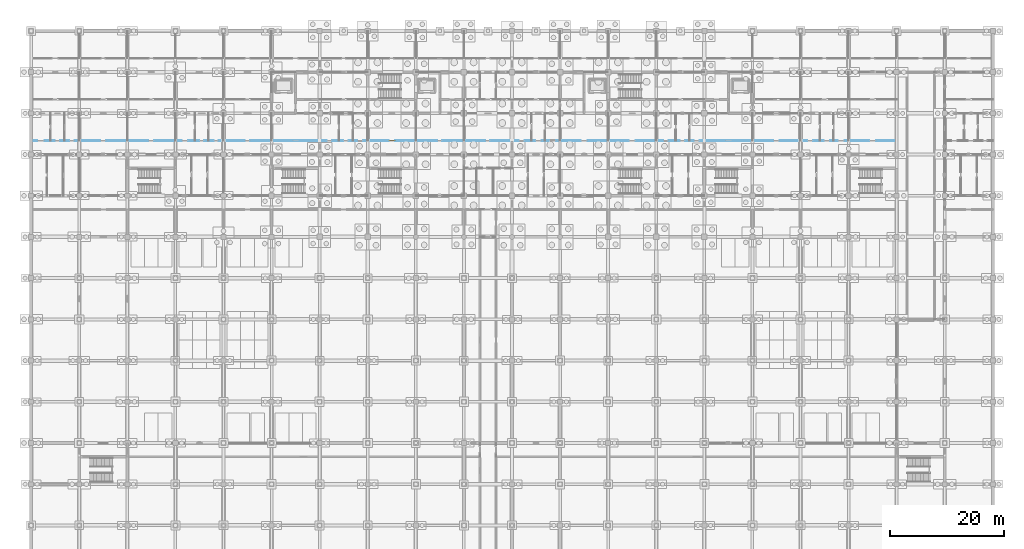
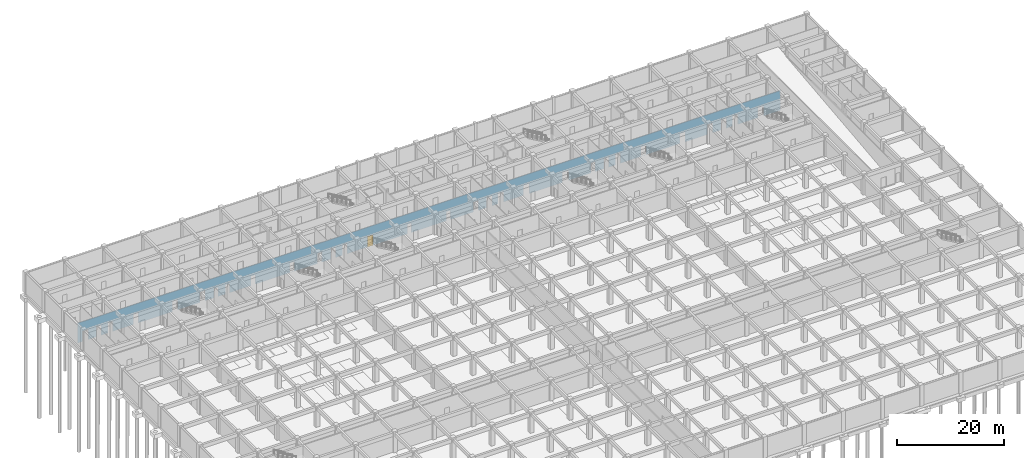
# One storey, part 54 of 85: 1 door, 30 openings, plus 1 element that does not belong to this part.
"""IFC4 building model written with IfcOpenShell, lengths in metres."""

from ifc_helpers import new_model, si_unit, direction, frame, frame_2d, origin, place, context, subcontext, project, spatial, rectangle, extrude, material, layer, layer_set, type_object, element, fill, save


model = new_model("IFC4")

# Units and contexts
model_context = context("Model", 3, precision=1e-05, world=origin(), true_north=direction((0.0, 1.0)))
body_context = subcontext(model_context, "Body", "Model", "MODEL_VIEW")
ifc_project = project(units=[si_unit("LENGTHUNIT", "METRE"), si_unit("AREAUNIT", "SQUARE_METRE"), si_unit("VOLUMEUNIT", "CUBIC_METRE"), si_unit("PLANEANGLEUNIT", "RADIAN"), si_unit("MASSUNIT", "GRAM", prefix="KILO")], contexts=[model_context])

# Site, building, storey
site_placement = place(None, origin())
site = spatial("IfcSite", under=ifc_project, at=site_placement, CompositionType="ELEMENT")
building_placement = place(site_placement, origin())
building = spatial("IfcBuilding", under=site, at=building_placement, Name="Chengyuan Square Courthouse", CompositionType="ELEMENT")
storey_placement = place(building_placement, frame((0.0, 0.0, -10.199951171875)))
storey = spatial("IfcBuildingStorey", under=building, at=storey_placement, Name="B02", CompositionType="ELEMENT", Elevation=-10.199951171875)

# Wall, openings, door
ifc_material_1 = material(Name="Gypsum Plasterboard Acoustic Stud Partition")
ifc_layer = layer(ifc_material_1, 0.10009765625)
ifc_layer_set = layer_set([ifc_layer], Name="Gypsum Plasterboard Acoustic Stud Partition")
wall_type = type_object("IfcWallType", Name="WL-PT6", PredefinedType="STANDARD", material=ifc_layer_set)
wall_placement = place(storey_placement, frame((0.0400390625, 96.0, 0.0), z_axis=(0.0, 0.0, 1.0), x_axis=(1.0, 0.0, 0.0)))
wall = element("IfcWall", 1, at=wall_placement, inside=storey, type_object=wall_type, Name="Interior Wall WL-B02-I062", PredefinedType="STANDARD", context=body_context, shape_type="SweptSolid", body=[
    extrude(rectangle(XDim=151.159912109375, YDim=0.10009765625, at=frame_2d((75.580078125, 0.0))), origin(), (0.0, 0.0, 1.0), 4.47998046875),
])
opening_1_placement = place(wall_placement, frame((1.0400390625, 0.0, 0.0)))
element("IfcOpeningElement", 2, at=opening_1_placement, cuts=wall, Name="Opening DR-148", PredefinedType="OPENING", context=body_context, shape_type="SweptSolid", body=[
    extrude(rectangle(XDim=1.280029296875, YDim=2.35009765625, at=frame_2d((0.64013671875, 1.175048828125))), frame((0.0, 0.06201171875, 0.0), z_axis=(0.0, -1.0, 0.0), x_axis=(1.0, 0.0, 0.0)), (0.0, 0.0, 1.0), 0.1240234375),
])
opening_2_placement = place(wall_placement, frame((4.090087890625, 0.0, 0.0)))
element("IfcOpeningElement", 3, at=opening_2_placement, cuts=wall, Name="Opening DR-149", PredefinedType="OPENING", context=body_context, shape_type="SweptSolid", body=[
    extrude(rectangle(XDim=0.93994140625, YDim=2.300048828125, at=frame_2d((0.469970703125, 1.14990234375))), frame((0.0, 0.06201171875, 0.0), z_axis=(0.0, -1.0, 0.0), x_axis=(1.0, 0.0, 0.0)), (0.0, 0.0, 1.0), 0.1240234375),
])
opening_3_placement = place(wall_placement, frame((6.570068359375, 0.0, 0.0)))
element("IfcOpeningElement", 4, at=opening_3_placement, cuts=wall, Name="Opening DR-150", PredefinedType="OPENING", context=body_context, shape_type="SweptSolid", body=[
    extrude(rectangle(XDim=0.97998046875, YDim=2.35009765625, at=frame_2d((0.489990234375, 1.175048828125))), frame((0.0, 0.06201171875, 0.0), z_axis=(0.0, -1.0, 0.0), x_axis=(1.0, 0.0, 0.0)), (0.0, 0.0, 1.0), 0.1240234375),
])
opening_4_placement = place(wall_placement, frame((12.050048828125, 0.0, 0.0)))
element("IfcOpeningElement", 5, at=opening_4_placement, cuts=wall, Name="Opening DR-151", PredefinedType="OPENING", context=body_context, shape_type="SweptSolid", body=[
    extrude(rectangle(XDim=1.02001953125, YDim=2.39990234375, at=frame_2d((0.510009765625, 1.199951171875))), frame((0.0, 0.06201171875, 0.0), z_axis=(0.0, -1.0, 0.0), x_axis=(1.0, 0.0, 0.0)), (0.0, 0.0, 1.0), 0.1240234375),
])
opening_5_placement = place(wall_placement, frame((20.429931640625, 0.0, 0.0)))
element("IfcOpeningElement", 6, at=opening_5_placement, cuts=wall, Name="Opening DR-152", PredefinedType="OPENING", context=body_context, shape_type="SweptSolid", body=[
    extrude(rectangle(XDim=1.06005859375, YDim=2.39990234375, at=frame_2d((0.530029296875, 1.199951171875))), frame((0.0, 0.06201171875, 0.0), z_axis=(0.0, -1.0, 0.0), x_axis=(1.0, 0.0, 0.0)), (0.0, 0.0, 1.0), 0.1240234375),
])
opening_6_placement = place(wall_placement, frame((26.2900390625, 0.0, 0.0)))
element("IfcOpeningElement", 7, at=opening_6_placement, cuts=wall, Name="Opening DR-153", PredefinedType="OPENING", context=body_context, shape_type="SweptSolid", body=[
    extrude(rectangle(XDim=1.139892578125, YDim=2.39990234375, at=frame_2d((0.56982421875, 1.199951171875))), frame((0.0, 0.06201171875, 0.0), z_axis=(0.0, -1.0, 0.0), x_axis=(1.0, 0.0, 0.0)), (0.0, 0.0, 1.0), 0.1240234375),
])
opening_7_placement = place(wall_placement, frame((29.31005859375, 0.0, 0.0)))
element("IfcOpeningElement", 8, at=opening_7_placement, cuts=wall, Name="Opening DR-154", PredefinedType="OPENING", context=body_context, shape_type="SweptSolid", body=[
    extrude(rectangle(XDim=0.89990234375, YDim=2.14990234375, at=frame_2d((0.449951171875, 1.074951171875))), frame((0.0, 0.06201171875, 0.0), z_axis=(0.0, -1.0, 0.0), x_axis=(1.0, 0.0, 0.0)), (0.0, 0.0, 1.0), 0.1240234375),
])
opening_8_placement = place(wall_placement, frame((31.830078125, 0.0, 0.0)))
element("IfcOpeningElement", 9, at=opening_8_placement, cuts=wall, Name="Opening DR-155", PredefinedType="OPENING", context=body_context, shape_type="SweptSolid", body=[
    extrude(rectangle(XDim=0.860107421875, YDim=2.10009765625, at=frame_2d((0.43017578125, 1.050048828125))), frame((0.0, 0.06201171875, 0.0), z_axis=(0.0, -1.0, 0.0), x_axis=(1.0, 0.0, 0.0)), (0.0, 0.0, 1.0), 0.1240234375),
])
opening_9_placement = place(wall_placement, frame((37.300048828125, 0.0, 0.0)))
element("IfcOpeningElement", 10, at=opening_9_placement, cuts=wall, Name="Opening DR-156", PredefinedType="OPENING", context=body_context, shape_type="SweptSolid", body=[
    extrude(rectangle(XDim=0.919921875, YDim=2.14990234375, at=frame_2d((0.4599609375, 1.074951171875))), frame((0.0, 0.06201171875, 0.0), z_axis=(0.0, -1.0, 0.0), x_axis=(1.0, 0.0, 0.0)), (0.0, 0.0, 1.0), 0.1240234375),
])
opening_10_placement = place(wall_placement, frame((45.679931640625, 0.0, 0.0)))
element("IfcOpeningElement", 11, at=opening_10_placement, cuts=wall, Name="Opening DR-157", PredefinedType="OPENING", context=body_context, shape_type="SweptSolid", body=[
    extrude(rectangle(XDim=0.9599609375, YDim=2.199951171875, at=frame_2d((0.47998046875, 1.10009765625))), frame((0.0, 0.06201171875, 0.0), z_axis=(0.0, -1.0, 0.0), x_axis=(1.0, 0.0, 0.0)), (0.0, 0.0, 1.0), 0.1240234375),
])
opening_11_placement = place(wall_placement, frame((51.570068359375, 0.0, 0.0)))
element("IfcOpeningElement", 12, at=opening_11_placement, cuts=wall, Name="Opening DR-167", PredefinedType="OPENING", context=body_context, shape_type="SweptSolid", body=[
    extrude(rectangle(XDim=0.97998046875, YDim=2.35009765625, at=frame_2d((0.489990234375, 1.175048828125))), frame((0.0, 0.06201171875, 0.0), z_axis=(0.0, -1.0, 0.0), x_axis=(1.0, 0.0, 0.0)), (0.0, 0.0, 1.0), 0.1240234375),
])
opening_12_placement = place(wall_placement, frame((54.449951171875, 0.0, 0.0)))
element("IfcOpeningElement", 13, at=opening_12_placement, cuts=wall, Name="Opening DR-168", PredefinedType="OPENING", context=body_context, shape_type="SweptSolid", body=[
    extrude(rectangle(XDim=1.02001953125, YDim=2.39990234375, at=frame_2d((0.510009765625, 1.199951171875))), frame((0.0, 0.06201171875, 0.0), z_axis=(0.0, -1.0, 0.0), x_axis=(1.0, 0.0, 0.0)), (0.0, 0.0, 1.0), 0.1240234375),
])
opening_13_placement = place(wall_placement, frame((56.929931640625, 0.0, 0.0)))
element("IfcOpeningElement", 14, at=opening_13_placement, cuts=wall, Name="Opening DR-169", PredefinedType="OPENING", context=body_context, shape_type="SweptSolid", body=[
    extrude(rectangle(XDim=1.06005859375, YDim=2.39990234375, at=frame_2d((0.530029296875, 1.199951171875))), frame((0.0, 0.06201171875, 0.0), z_axis=(0.0, -1.0, 0.0), x_axis=(1.0, 0.0, 0.0)), (0.0, 0.0, 1.0), 0.1240234375),
])
opening_14_placement = place(wall_placement, frame((62.389892578125, 0.0, 0.0)))
opening_14 = element("IfcOpeningElement", 15, at=opening_14_placement, cuts=wall, Name="Opening DR-170", PredefinedType="OPENING", context=body_context, shape_type="SweptSolid", body=[
    extrude(rectangle(XDim=1.139892578125, YDim=2.39990234375, at=frame_2d((0.56982421875, 1.199951171875))), frame((0.0, 0.06201171875, 0.0), z_axis=(0.0, -1.0, 0.0), x_axis=(1.0, 0.0, 0.0)), (0.0, 0.0, 1.0), 0.1240234375),
])
opening_15_placement = place(wall_placement, frame((70.909912109375, 0.0, 0.0)))
element("IfcOpeningElement", 16, at=opening_15_placement, cuts=wall, Name="Opening DR-171", PredefinedType="OPENING", context=body_context, shape_type="SweptSolid", body=[
    extrude(rectangle(XDim=0.89990234375, YDim=2.14990234375, at=frame_2d((0.449951171875, 1.074951171875))), frame((0.0, 0.06201171875, 0.0), z_axis=(0.0, -1.0, 0.0), x_axis=(1.0, 0.0, 0.0)), (0.0, 0.0, 1.0), 0.1240234375),
])
opening_16_placement = place(wall_placement, frame((79.330078125, 0.0, 0.0)))
element("IfcOpeningElement", 17, at=opening_16_placement, cuts=wall, Name="Opening DR-172", PredefinedType="OPENING", context=body_context, shape_type="SweptSolid", body=[
    extrude(rectangle(XDim=0.860107421875, YDim=2.10009765625, at=frame_2d((0.43017578125, 1.050048828125))), frame((0.0, 0.06201171875, 0.0), z_axis=(0.0, -1.0, 0.0), x_axis=(1.0, 0.0, 0.0)), (0.0, 0.0, 1.0), 0.1240234375),
])
opening_17_placement = place(wall_placement, frame((85.10009765625, 0.0, 0.0)))
element("IfcOpeningElement", 18, at=opening_17_placement, cuts=wall, Name="Opening DR-178", PredefinedType="OPENING", context=body_context, shape_type="SweptSolid", body=[
    extrude(rectangle(XDim=1.1201171875, YDim=2.25, at=frame_2d((0.56005859375, 1.125))), frame((0.0, 0.06201171875, 0.0), z_axis=(0.0, -1.0, 0.0), x_axis=(1.0, 0.0, 0.0)), (0.0, 0.0, 1.0), 0.1240234375),
])
opening_18_placement = place(wall_placement, frame((87.97998046875, 0.0, 0.0)))
element("IfcOpeningElement", 19, at=opening_18_placement, cuts=wall, Name="Opening DR-179", PredefinedType="OPENING", context=body_context, shape_type="SweptSolid", body=[
    extrude(rectangle(XDim=1.159912109375, YDim=2.300048828125, at=frame_2d((0.580078125, 1.14990234375))), frame((0.0, 0.06201171875, 0.0), z_axis=(0.0, -1.0, 0.0), x_axis=(1.0, 0.0, 0.0)), (0.0, 0.0, 1.0), 0.1240234375),
])
opening_19_placement = place(wall_placement, frame((90.4599609375, 0.0, 0.0)))
element("IfcOpeningElement", 20, at=opening_19_placement, cuts=wall, Name="Opening DR-180", PredefinedType="OPENING", context=body_context, shape_type="SweptSolid", body=[
    extrude(rectangle(XDim=1.199951171875, YDim=2.35009765625, at=frame_2d((0.60009765625, 1.175048828125))), frame((0.0, 0.06201171875, 0.0), z_axis=(0.0, -1.0, 0.0), x_axis=(1.0, 0.0, 0.0)), (0.0, 0.0, 1.0), 0.1240234375),
])
opening_20_placement = place(wall_placement, frame((95.93994140625, 0.0, 0.0)))
element("IfcOpeningElement", 21, at=opening_20_placement, cuts=wall, Name="Opening DR-181", PredefinedType="OPENING", context=body_context, shape_type="SweptSolid", body=[
    extrude(rectangle(XDim=1.239990234375, YDim=2.300048828125, at=frame_2d((0.6201171875, 1.14990234375))), frame((0.0, 0.06201171875, 0.0), z_axis=(0.0, -1.0, 0.0), x_axis=(1.0, 0.0, 0.0)), (0.0, 0.0, 1.0), 0.1240234375),
])
opening_21_placement = place(wall_placement, frame((104.320068359375, 0.0, 0.0)))
element("IfcOpeningElement", 22, at=opening_21_placement, cuts=wall, Name="Opening DR-182", PredefinedType="OPENING", context=body_context, shape_type="SweptSolid", body=[
    extrude(rectangle(XDim=1.280029296875, YDim=2.35009765625, at=frame_2d((0.64013671875, 1.175048828125))), frame((0.0, 0.06201171875, 0.0), z_axis=(0.0, -1.0, 0.0), x_axis=(1.0, 0.0, 0.0)), (0.0, 0.0, 1.0), 0.1240234375),
])
opening_22_placement = place(wall_placement, frame((110.389892578125, 0.0, 0.0)))
element("IfcOpeningElement", 23, at=opening_22_placement, cuts=wall, Name="Opening DR-183", PredefinedType="OPENING", context=body_context, shape_type="SweptSolid", body=[
    extrude(rectangle(XDim=0.93994140625, YDim=2.300048828125, at=frame_2d((0.469970703125, 1.14990234375))), frame((0.0, 0.06201171875, 0.0), z_axis=(0.0, -1.0, 0.0), x_axis=(1.0, 0.0, 0.0)), (0.0, 0.0, 1.0), 0.1240234375),
])
opening_23_placement = place(wall_placement, frame((113.27001953125, 0.0, 0.0)))
element("IfcOpeningElement", 24, at=opening_23_placement, cuts=wall, Name="Opening DR-184", PredefinedType="OPENING", context=body_context, shape_type="SweptSolid", body=[
    extrude(rectangle(XDim=0.97998046875, YDim=2.35009765625, at=frame_2d((0.489990234375, 1.175048828125))), frame((0.0, 0.06201171875, 0.0), z_axis=(0.0, -1.0, 0.0), x_axis=(1.0, 0.0, 0.0)), (0.0, 0.0, 1.0), 0.1240234375),
])
opening_24_placement = place(wall_placement, frame((115.75, 0.0, 0.0)))
element("IfcOpeningElement", 25, at=opening_24_placement, cuts=wall, Name="Opening DR-185", PredefinedType="OPENING", context=body_context, shape_type="SweptSolid", body=[
    extrude(rectangle(XDim=1.02001953125, YDim=2.39990234375, at=frame_2d((0.510009765625, 1.199951171875))), frame((0.0, 0.06201171875, 0.0), z_axis=(0.0, -1.0, 0.0), x_axis=(1.0, 0.0, 0.0)), (0.0, 0.0, 1.0), 0.1240234375),
])
opening_25_placement = place(wall_placement, frame((121.239990234375, 0.0, 0.0)))
element("IfcOpeningElement", 26, at=opening_25_placement, cuts=wall, Name="Opening DR-193", PredefinedType="OPENING", context=body_context, shape_type="SweptSolid", body=[
    extrude(rectangle(XDim=1.0400390625, YDim=2.199951171875, at=frame_2d((0.52001953125, 1.10009765625))), frame((0.0, 0.06201171875, 0.0), z_axis=(0.0, -1.0, 0.0), x_axis=(1.0, 0.0, 0.0)), (0.0, 0.0, 1.0), 0.1240234375),
])
opening_26_placement = place(wall_placement, frame((129.6201171875, 0.0, 0.0)))
element("IfcOpeningElement", 27, at=opening_26_placement, cuts=wall, Name="Opening DR-194", PredefinedType="OPENING", context=body_context, shape_type="SweptSolid", body=[
    extrude(rectangle(XDim=1.080078125, YDim=2.25, at=frame_2d((0.5400390625, 1.125))), frame((0.0, 0.06201171875, 0.0), z_axis=(0.0, -1.0, 0.0), x_axis=(1.0, 0.0, 0.0)), (0.0, 0.0, 1.0), 0.1240234375),
])
opening_27_placement = place(wall_placement, frame((135.5, 0.0, 0.0)))
element("IfcOpeningElement", 28, at=opening_27_placement, cuts=wall, Name="Opening DR-195", PredefinedType="OPENING", context=body_context, shape_type="SweptSolid", body=[
    extrude(rectangle(XDim=1.1201171875, YDim=2.25, at=frame_2d((0.56005859375, 1.125))), frame((0.0, 0.06201171875, 0.0), z_axis=(0.0, -1.0, 0.0), x_axis=(1.0, 0.0, 0.0)), (0.0, 0.0, 1.0), 0.1240234375),
])
opening_28_placement = place(wall_placement, frame((138.3798828125, 0.0, 0.0)))
element("IfcOpeningElement", 29, at=opening_28_placement, cuts=wall, Name="Opening DR-196", PredefinedType="OPENING", context=body_context, shape_type="SweptSolid", body=[
    extrude(rectangle(XDim=1.159912109375, YDim=2.300048828125, at=frame_2d((0.580078125, 1.14990234375))), frame((0.0, 0.06201171875, 0.0), z_axis=(0.0, -1.0, 0.0), x_axis=(1.0, 0.0, 0.0)), (0.0, 0.0, 1.0), 0.1240234375),
])
opening_29_placement = place(wall_placement, frame((140.860107421875, 0.0, 0.0)))
element("IfcOpeningElement", 30, at=opening_29_placement, cuts=wall, Name="Opening DR-197", PredefinedType="OPENING", context=body_context, shape_type="SweptSolid", body=[
    extrude(rectangle(XDim=1.199951171875, YDim=2.35009765625, at=frame_2d((0.60009765625, 1.175048828125))), frame((0.0, 0.06201171875, 0.0), z_axis=(0.0, -1.0, 0.0), x_axis=(1.0, 0.0, 0.0)), (0.0, 0.0, 1.0), 0.1240234375),
])
opening_30_placement = place(wall_placement, frame((146.340087890625, 0.0, 0.0)))
element("IfcOpeningElement", 31, at=opening_30_placement, cuts=wall, Name="Opening DR-198", PredefinedType="OPENING", context=body_context, shape_type="SweptSolid", body=[
    extrude(rectangle(XDim=1.239990234375, YDim=2.300048828125, at=frame_2d((0.6201171875, 1.14990234375))), frame((0.0, 0.06201171875, 0.0), z_axis=(0.0, -1.0, 0.0), x_axis=(1.0, 0.0, 0.0)), (0.0, 0.0, 1.0), 0.1240234375),
])
ifc_material_2 = material(Name="Acoustic Solid-Core Timber Door", Category="wood")
door_type = type_object("IfcDoorType", Name="DT-43", OperationType="NOTDEFINED", PredefinedType="DOOR", material=ifc_material_2)
door_placement = place(opening_14_placement, origin())
door = element("IfcDoor", 32, at=door_placement, inside=storey, type_object=door_type, Name="Interior Door DR-170", OperationType="SINGLE_SWING_LEFT", OverallHeight=2.39990234375, OverallWidth=1.139892578125, PredefinedType="DOOR", context=body_context, shape_type="SweptSolid", body=[
    extrude(rectangle(XDim=1.139892578125, YDim=2.39990234375, at=frame_2d((0.56982421875, 1.199951171875))), frame((0.0, 0.02490234375, 0.0), z_axis=(0.0, -1.0, 0.0), x_axis=(1.0, 0.0, 0.0)), (0.0, 0.0, 1.0), 0.050048828125),
])
fill(opening_14, door)

save(model, "model.ifc")
